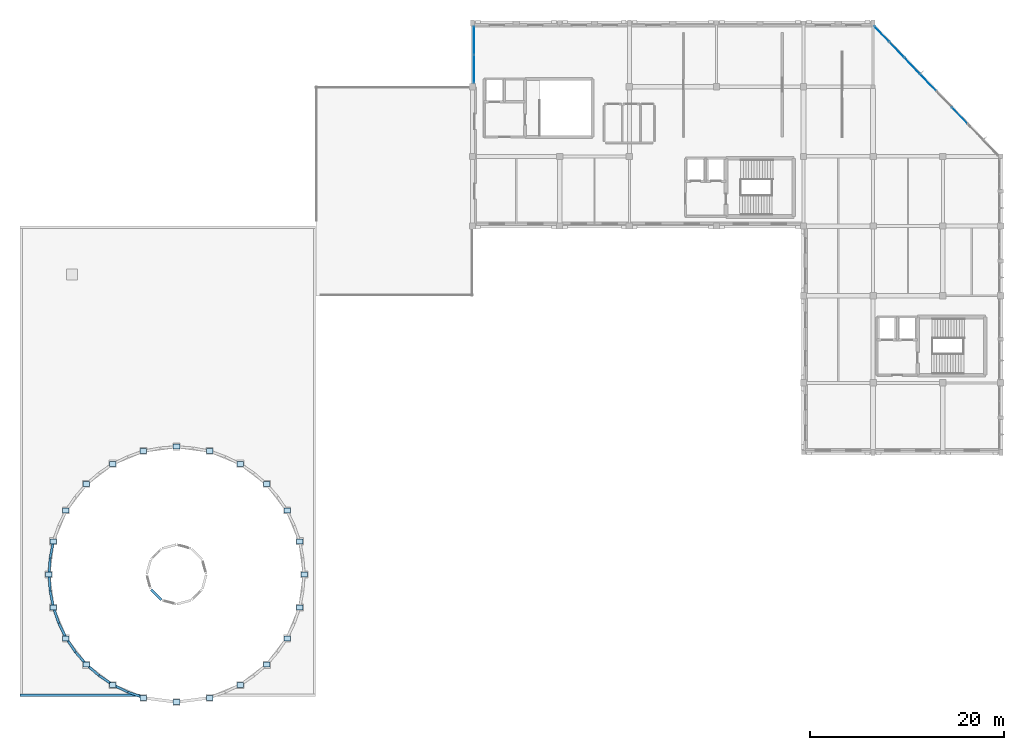
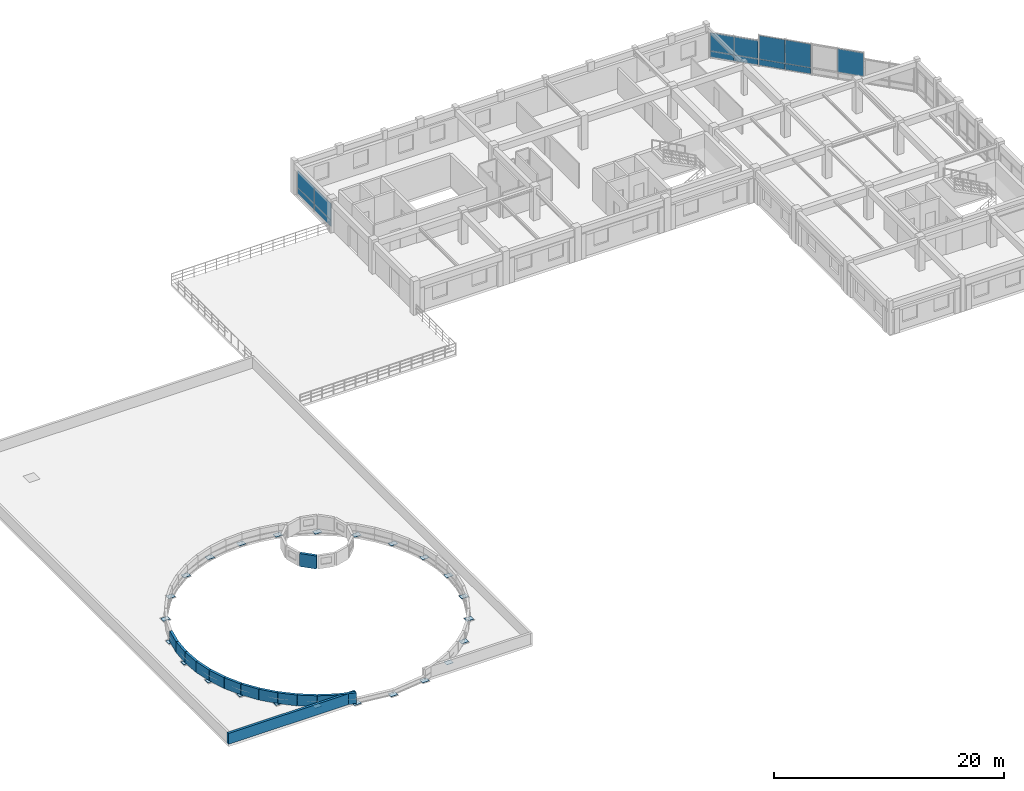
# One storey, part 11 of 18: 37 plates, 14 walls, 4 elements without a shape of their own.
"""IFC4 building model written with IfcOpenShell, lengths in metres."""

import ifcopenshell
import ifcopenshell.guid

model = None  # the IFC model being written
_history = None  # IfcOwnerHistory: only IFC2X3 demands one
_inside = {}  # id of a spatial element -> (the spatial element, [elements in it])
_under = {}  # id of a project, library or spatial element -> (it, [spatial elements below it])
_declared = {}  # id of a project -> (the project, [libraries it declares])
_typed = {}  # id of a type object -> (the type object, [elements of that type])
_made_of = {}  # id of a material, layer set ... -> (it, [elements and type objects made of it])


def new_model(schema):
    """Start an empty IFC model of exactly this schema.

    Asked for "IFC4X3", IfcOpenShell would pick the latest addendum, in which some entities
    have other attributes; the version numbers below select the first issue.
    IFC2X3 requires an IfcOwnerHistory on every rooted entity: one is made here for all.
    """
    global model, _history
    if schema == "IFC4X3":
        model = ifcopenshell.file(schema_version=(4, 3, 0, 0))
    else:
        model = ifcopenshell.file(schema=schema)
    _inside.clear()
    _under.clear()
    _declared.clear()
    _typed.clear()
    _made_of.clear()
    _history = None
    if model.schema == "IFC2X3":
        org = make("IfcOrganization", Name="unknown")
        user = make(
            "IfcPersonAndOrganization",
            ThePerson=make("IfcPerson", FamilyName="unknown"),
            TheOrganization=org,
        )
        app = make(
            "IfcApplication",
            ApplicationDeveloper=org,
            Version="unknown",
            ApplicationFullName="unknown",
            ApplicationIdentifier="unknown",
        )
        _history = make(
            "IfcOwnerHistory",
            OwningUser=user,
            OwningApplication=app,
            ChangeAction="ADDED",
            CreationDate=0,
        )
    return model


def make(cls, **values):
    """One entity of the class cls with the attributes given. An attribute that is None is left unset."""
    return model.create_entity(
        cls, **{name: value for name, value in values.items() if value is not None}
    )


def rooted(cls, **values):
    """An entity with a GlobalId (a new one), such as an element, a storey or a relation."""
    return make(cls, GlobalId=ifcopenshell.guid.new(), OwnerHistory=_history, **values)


def si_unit(unit_type, name, prefix=None):
    """IfcSIUnit, for example si_unit("LENGTHUNIT", "METRE", prefix="MILLI")."""
    return make("IfcSIUnit", UnitType=unit_type, Prefix=prefix, Name=name)


def assignment(units):
    """IfcUnitAssignment: the units of a project."""
    return None if units is None else make("IfcUnitAssignment", Units=units)


def point(xyz):
    """IfcCartesianPoint."""
    return None if xyz is None else make("IfcCartesianPoint", Coordinates=xyz)


def direction(xyz):
    """IfcDirection."""
    return None if xyz is None else make("IfcDirection", DirectionRatios=xyz)


def frame(location, z_axis=None, x_axis=None):
    """IfcAxis2Placement3D, a coordinate frame: its origin and axes. An axis left out is left unset."""
    return make(
        "IfcAxis2Placement3D",
        Location=point(location),
        Axis=direction(z_axis),
        RefDirection=direction(x_axis),
    )


def frame_2d(location, x_axis=None):
    """IfcAxis2Placement2D, a coordinate frame in the plane: its origin and x axis."""
    return make(
        "IfcAxis2Placement2D", Location=point(location), RefDirection=direction(x_axis)
    )


def origin():
    """The frame at (0, 0, 0) with its axes left unset."""
    return frame((0.0, 0.0, 0.0))


def origin_2d():
    """The frame at (0, 0) in the plane with its x axis left unset."""
    return frame_2d((0.0, 0.0))


def place(relative_to, where):
    """IfcLocalPlacement: puts the frame where relative to a parent placement (None: the world)."""
    return make(
        "IfcLocalPlacement", PlacementRelTo=relative_to, RelativePlacement=where
    )


def context(
    kind, dimensions, precision=None, world=None, true_north=None, identifier=None
):
    """IfcGeometricRepresentationContext, for example the 3D "Model" context."""
    return make(
        "IfcGeometricRepresentationContext",
        ContextIdentifier=identifier,
        ContextType=kind,
        CoordinateSpaceDimension=dimensions,
        Precision=precision,
        WorldCoordinateSystem=world,
        TrueNorth=true_north,
    )


def subcontext(parent, identifier, kind, view, scale=None):
    """IfcGeometricRepresentationSubContext, for example "Body" below "Model"."""
    return make(
        "IfcGeometricRepresentationSubContext",
        ContextIdentifier=identifier,
        ContextType=kind,
        ParentContext=parent,
        TargetScale=scale,
        TargetView=view,
    )


def project(units=None, contexts=None):
    """IfcProject with its units and contexts."""
    return rooted(
        "IfcProject",
        Name="project",
        RepresentationContexts=contexts,
        UnitsInContext=assignment(units),
    )


def spatial(cls, under=None, at=None, **own):
    """A site, building, storey or space (cls), placed at a placement, below another one or the project."""
    s = rooted(cls, ObjectPlacement=at, **own)
    if under is not None:
        _under.setdefault(under.id(), (under, []))[1].append(s)
    return s


def profile(cls, at=None, kind="AREA", **sizes):
    """A parametric profile (cls). Its sizes go by their IFC names, for example OverallWidth=200.0."""
    return make(cls, ProfileType=kind, Position=at, **sizes)


def rectangle(**sizes):
    """IfcRectangleProfileDef."""
    return profile("IfcRectangleProfileDef", **sizes)


def extrude(swept, where, along, depth):
    """IfcExtrudedAreaSolid: the profile swept, set in the frame where, extruded along a direction by depth."""
    return make(
        "IfcExtrudedAreaSolid",
        SweptArea=swept,
        Position=where,
        ExtrudedDirection=direction(along),
        Depth=depth,
    )


def shape(context_of_items, identifier, shape_type, items):
    """IfcShapeRepresentation: the items that make up one representation, for example the "Body"."""
    return make(
        "IfcShapeRepresentation",
        ContextOfItems=context_of_items,
        RepresentationIdentifier=identifier,
        RepresentationType=shape_type,
        Items=items,
    )


def material(Name=None, Category=None):
    """IfcMaterial."""
    return make("IfcMaterial", Name=Name, Category=Category)


def layer(
    of_material, thickness, ventilated=None, Name=None, Category=None, Priority=None
):
    """IfcMaterialLayer: one layer of a wall or slab, of a material (None: an air gap)."""
    return make(
        "IfcMaterialLayer",
        Material=of_material,
        LayerThickness=thickness,
        IsVentilated=ventilated,
        Name=Name,
        Category=Category,
        Priority=Priority,
    )


def layer_set(layers, Name=None):
    """IfcMaterialLayerSet."""
    return make("IfcMaterialLayerSet", MaterialLayers=layers, LayerSetName=Name)


def made_of(thing, what):
    """Note that an element or type object is made of a material, layer set ...; save() writes the relation."""
    if what is not None:
        _made_of.setdefault(what.id(), (what, []))[1].append(thing)
    return thing


def type_object(cls, material=None, **own):
    """A type object (cls), such as IfcWallType, which elements share."""
    return made_of(rooted(cls, **own), material)


def element(
    cls,
    number,
    at=None,
    inside=None,
    cuts=None,
    type_object=None,
    material=None,
    context=None,
    identifier="Body",
    shape_type=None,
    held_by="IfcProductDefinitionShape",
    body=None,
    shapes=None,
    **own,
):
    """One element of the class cls, such as IfcWall. Its Tag is "e" and its number.

    at: its placement. inside: the storey or other place that contains it. cuts: it is an
    opening in that element (IfcRelVoidsElement). A single representation is given by context,
    identifier, shape_type and body (its items); several are given by shapes. held_by: the class
    of the entity that holds the representations. save() writes the other relations.
    """
    e = rooted(cls, Tag="e%d" % number, ObjectPlacement=at, **own)
    if body is not None:
        shapes = [shape(context, identifier, shape_type, body)]
    if shapes is not None:
        e.Representation = make(held_by, Representations=shapes)
    if inside is not None:
        _inside.setdefault(inside.id(), (inside, []))[1].append(e)
    if cuts is not None:
        rooted(
            "IfcRelVoidsElement", RelatingBuildingElement=cuts, RelatedOpeningElement=e
        )
    if type_object is not None:
        _typed.setdefault(type_object.id(), (type_object, []))[1].append(e)
    return made_of(e, material)


def aggregate(whole, parts):
    """IfcRelAggregates: a whole, such as a stair, and the parts it consists of."""
    return rooted("IfcRelAggregates", RelatingObject=whole, RelatedObjects=parts)


def save(model, path):
    """Write the relations noted so far, then the file.

    IfcRelAggregates (storeys below a building ...), IfcRelContainedInSpatialStructure (elements
    in a storey), IfcRelDefinesByType, IfcRelAssociatesMaterial and IfcRelDeclares: one each for
    every whole, place, type object, material and project.
    """
    for whole, parts in _under.values():
        aggregate(whole, parts)
    for where, things in _inside.values():
        rooted(
            "IfcRelContainedInSpatialStructure",
            RelatedElements=things,
            RelatingStructure=where,
        )
    for kind, things in _typed.values():
        rooted("IfcRelDefinesByType", RelatedObjects=things, RelatingType=kind)
    for what, things in _made_of.values():
        rooted("IfcRelAssociatesMaterial", RelatedObjects=things, RelatingMaterial=what)
    for by, libraries in _declared.values():
        rooted("IfcRelDeclares", RelatingContext=by, RelatedDefinitions=libraries)
    model.write(path)


model = new_model("IFC4")

# Units and contexts
model_context = context("Model", 3, precision=1e-05, world=origin(), true_north=direction((0.0, 1.0)))
body_context = subcontext(model_context, "Body", "Model", "MODEL_VIEW")
ifc_project = project(units=[si_unit("LENGTHUNIT", "METRE"), si_unit("AREAUNIT", "SQUARE_METRE"), si_unit("VOLUMEUNIT", "CUBIC_METRE"), si_unit("PLANEANGLEUNIT", "RADIAN"), si_unit("MASSUNIT", "GRAM", prefix="KILO")], contexts=[model_context])

# Site, building, storey
site_placement = place(None, origin())
site = spatial("IfcSite", under=ifc_project, at=site_placement, CompositionType="ELEMENT")
building_placement = place(site_placement, origin())
building = spatial("IfcBuilding", under=site, at=building_placement, Name="Clarverna Civic Hall", CompositionType="ELEMENT")
storey_placement = place(building_placement, frame((0.0, 0.0, 20.39990234375)))
storey = spatial("IfcBuildingStorey", under=building, at=storey_placement, Name="L05", CompositionType="ELEMENT", Elevation=20.39990234375)

# Curtain wall, plates
ifc_material_1 = material(Name="Anodised Bronze Architectural Aluminium", Category="aluminium")
curtain_wall_type = type_object("IfcCurtainWallType", Name="CW-01", PredefinedType="USERDEFINED", material=ifc_material_1)
curtain_wall_1_placement = place(storey_placement, origin())
curtain_wall_1 = element("IfcCurtainWall", 1, at=curtain_wall_1_placement, inside=storey, type_object=curtain_wall_type, Name="CW-01-101", ObjectType="UNITISED CURTAIN WALL", PredefinedType="USERDEFINED")
ifc_material_2 = material(Name="Solar-Control Argon Low-E Double Glazing", Category="glass")
ifc_layer_1 = layer(ifc_material_2, 0.031982421875)
ifc_layer_set_1 = layer_set([ifc_layer_1], Name="Solar-Control Argon Low-E Double Glazing")
plate_type_1 = type_object("IfcPlateType", Name="CWP-01", PredefinedType="CURTAIN_PANEL", material=ifc_layer_set_1)
plate_1_placement = place(storey_placement, frame((154.964599609375, 115.62548828125, 0.76513671875), z_axis=(0.0, 0.0, 1.0), x_axis=(0.691132648489, -0.722727930962, 0.0)))
plate_1 = element("IfcPlate", 2, at=plate_1_placement, type_object=plate_type_1, Name="CWP-01-581", PredefinedType="CURTAIN_PANEL", context=body_context, shape_type="SweptSolid", body=[
    extrude(rectangle(XDim=2.15576171875, YDim=0.031982421875, at=frame_2d((1.077880859375, 0.0))), origin(), (0.0, 0.0, 1.0), 1.925048828125),
])
plate_2_placement = place(storey_placement, frame((156.4755859375, 114.0458984375, 0.76513671875), z_axis=(0.0, 0.0, 1.0), x_axis=(0.691132648489, -0.722727930962, 0.0)))
plate_2 = element("IfcPlate", 3, at=plate_2_placement, type_object=plate_type_1, Name="CWP-01-582", PredefinedType="CURTAIN_PANEL", context=body_context, shape_type="SweptSolid", body=[
    extrude(rectangle(XDim=2.15576171875, YDim=0.031982421875, at=frame_2d((1.077880859375, 0.0))), origin(), (0.0, 0.0, 1.0), 1.925048828125),
])

curtain_wall_2_placement = place(storey_placement, origin())
curtain_wall_2 = element("IfcCurtainWall", 4, at=curtain_wall_2_placement, inside=storey, type_object=curtain_wall_type, Name="CW-01-102", ObjectType="UNITISED CURTAIN WALL", PredefinedType="USERDEFINED")
plate_3_placement = place(storey_placement, frame((158.031982421875, 112.418701171875, 0.76513671875), z_axis=(0.0, 0.0, 1.0), x_axis=(0.691174945329, -0.722687480831, 0.0)))
plate_3 = element("IfcPlate", 5, at=plate_3_placement, type_object=plate_type_1, Name="CWP-01-583", PredefinedType="CURTAIN_PANEL", context=body_context, shape_type="SweptSolid", body=[
    extrude(rectangle(XDim=2.32421875, YDim=0.031982421875, at=frame_2d((1.162109375, 0.0))), origin(), (0.0, 0.0, 1.0), 2.48486328125),
])
plate_4_placement = place(storey_placement, frame((159.6591796875, 110.71728515625, 0.76513671875), z_axis=(0.0, 0.0, 1.0), x_axis=(0.691227416228, -0.72263729426, 0.0)))
plate_4 = element("IfcPlate", 6, at=plate_4_placement, type_object=plate_type_1, Name="CWP-01-584", PredefinedType="CURTAIN_PANEL", context=body_context, shape_type="SweptSolid", body=[
    extrude(rectangle(XDim=2.323974609375, YDim=0.031982421875, at=frame_2d((1.162109375, 0.0))), origin(), (0.0, 0.0, 1.0), 2.48486328125),
])

# Curtain wall, plate
curtain_wall_3_placement = place(storey_placement, origin())
curtain_wall_3 = element("IfcCurtainWall", 7, at=curtain_wall_3_placement, inside=storey, type_object=curtain_wall_type, Name="CW-01-103", ObjectType="UNITISED CURTAIN WALL", PredefinedType="USERDEFINED")
plate_5_placement = place(storey_placement, frame((162.959228515625, 107.267333984375, 0.76513671875), z_axis=(0.0, 0.0, 1.0), x_axis=(0.691227416228, -0.72263729426, 0.0)))
plate_5 = element("IfcPlate", 8, at=plate_5_placement, type_object=plate_type_1, Name="CWP-01-586", PredefinedType="CURTAIN_PANEL", context=body_context, shape_type="SweptSolid", body=[
    extrude(rectangle(XDim=2.323974609375, YDim=0.031982421875, at=frame_2d((1.162109375, 0.0))), origin(), (0.0, 0.0, 1.0), 2.48486328125),
])
aggregate(curtain_wall_3, [plate_5])

# Curtain wall, plates
curtain_wall_4_placement = place(storey_placement, origin())
curtain_wall_4 = element("IfcCurtainWall", 9, at=curtain_wall_4_placement, inside=storey, type_object=curtain_wall_type, Name="CW-01-113", ObjectType="UNITISED CURTAIN WALL", PredefinedType="USERDEFINED")
plate_6_placement = place(storey_placement, frame((113.5400390625, 109.81298828125, 0.76513671875), z_axis=(0.0, 0.0, 1.0), x_axis=(0.0, 1.0, 0.0)))
plate_6 = element("IfcPlate", 10, at=plate_6_placement, type_object=plate_type_1, Name="CWP-01-605", PredefinedType="CURTAIN_PANEL", context=body_context, shape_type="SweptSolid", body=[
    extrude(rectangle(XDim=2.884521484375, YDim=0.031982421875, at=frame_2d((1.4423828125, 0.0))), origin(), (0.0, 0.0, 1.0), 1.784912109375),
])
plate_7_placement = place(storey_placement, frame((113.5400390625, 112.7275390625, 0.76513671875), z_axis=(0.0, 0.0, 1.0), x_axis=(0.0, 1.0, 0.0)))
plate_7 = element("IfcPlate", 11, at=plate_7_placement, type_object=plate_type_1, Name="CWP-01-606", PredefinedType="CURTAIN_PANEL", context=body_context, shape_type="SweptSolid", body=[
    extrude(rectangle(XDim=2.884521484375, YDim=0.031982421875, at=frame_2d((1.4423828125, 0.0))), origin(), (0.0, 0.0, 1.0), 1.784912109375),
])

# Plate
ifc_material_3 = material(Name="Insulated Anodised Bronze Spandrel Panel", Category="aluminium")
ifc_layer_2 = layer(ifc_material_3, 0.048095703125)
ifc_layer_set_2 = layer_set([ifc_layer_2], Name="Insulated Anodised Bronze Spandrel Panel")
plate_type_2 = type_object("IfcPlateType", Name="CWP-03", PredefinedType="CURTAIN_PANEL", material=ifc_layer_set_2)
plate_8_placement = place(storey_placement, frame((154.964599609375, 115.62548828125, 0.110107421875), z_axis=(0.0, 0.0, 1.0), x_axis=(0.691132648489, -0.722727930962, 0.0)))
plate_8 = element("IfcPlate", 12, at=plate_8_placement, type_object=plate_type_2, Name="CWP-03-601", PredefinedType="CURTAIN_PANEL", context=body_context, shape_type="SweptSolid", body=[
    extrude(rectangle(XDim=2.15576171875, YDim=0.048095703125, at=frame_2d((1.077880859375, 0.0))), origin(), (0.0, 0.0, 1.0), 0.625),
])

plate_9_placement = place(storey_placement, frame((156.4755859375, 114.0458984375, 0.110107421875), z_axis=(0.0, 0.0, 1.0), x_axis=(0.691132648489, -0.722727930962, 0.0)))
plate_9 = element("IfcPlate", 13, at=plate_9_placement, type_object=plate_type_2, Name="CWP-03-602", PredefinedType="CURTAIN_PANEL", context=body_context, shape_type="SweptSolid", body=[
    extrude(rectangle(XDim=2.15576171875, YDim=0.048095703125, at=frame_2d((1.077880859375, 0.0))), origin(), (0.0, 0.0, 1.0), 0.625),
])

aggregate(curtain_wall_1, [plate_8, plate_1, plate_9, plate_2])

plate_10_placement = place(storey_placement, frame((158.031982421875, 112.418701171875, 0.110107421875), z_axis=(0.0, 0.0, 1.0), x_axis=(0.691174945329, -0.722687480831, 0.0)))
plate_10 = element("IfcPlate", 14, at=plate_10_placement, type_object=plate_type_2, Name="CWP-03-603", PredefinedType="CURTAIN_PANEL", context=body_context, shape_type="SweptSolid", body=[
    extrude(rectangle(XDim=2.32421875, YDim=0.048095703125, at=frame_2d((1.162109375, 0.0))), origin(), (0.0, 0.0, 1.0), 0.625),
])

plate_11_placement = place(storey_placement, frame((159.6591796875, 110.71728515625, 0.110107421875), z_axis=(0.0, 0.0, 1.0), x_axis=(0.691227416228, -0.72263729426, 0.0)))
plate_11 = element("IfcPlate", 15, at=plate_11_placement, type_object=plate_type_2, Name="CWP-03-604", PredefinedType="CURTAIN_PANEL", context=body_context, shape_type="SweptSolid", body=[
    extrude(rectangle(XDim=2.323974609375, YDim=0.048095703125, at=frame_2d((1.162109375, 0.0))), origin(), (0.0, 0.0, 1.0), 0.625),
])

aggregate(curtain_wall_2, [plate_10, plate_3, plate_11, plate_4])

plate_12_placement = place(storey_placement, frame((113.5400390625, 109.81298828125, 0.110107421875), z_axis=(0.0, 0.0, 1.0), x_axis=(0.0, 1.0, 0.0)))
plate_12 = element("IfcPlate", 16, at=plate_12_placement, type_object=plate_type_2, Name="CWP-03-625", PredefinedType="CURTAIN_PANEL", context=body_context, shape_type="SweptSolid", body=[
    extrude(rectangle(XDim=2.884521484375, YDim=0.048095703125, at=frame_2d((1.4423828125, 0.0))), origin(), (0.0, 0.0, 1.0), 0.625),
])

plate_13_placement = place(storey_placement, frame((113.5400390625, 112.7275390625, 0.110107421875), z_axis=(0.0, 0.0, 1.0), x_axis=(0.0, 1.0, 0.0)))
plate_13 = element("IfcPlate", 17, at=plate_13_placement, type_object=plate_type_2, Name="CWP-03-626", PredefinedType="CURTAIN_PANEL", context=body_context, shape_type="SweptSolid", body=[
    extrude(rectangle(XDim=2.884521484375, YDim=0.048095703125, at=frame_2d((1.4423828125, 0.0))), origin(), (0.0, 0.0, 1.0), 0.625),
])

aggregate(curtain_wall_4, [plate_12, plate_6, plate_13, plate_7])

# Plates
ifc_material_4 = material(Name="Steel S355", Category="steel")
ifc_layer_3 = layer(ifc_material_4, 0.02490234375)
ifc_layer_set_3 = layer_set([ifc_layer_3], Name="Steel S355")
plate_type_3 = type_object("IfcPlateType", Name="NP-01", PredefinedType="SHEET", material=ifc_layer_set_3)
for number, where, z_axis, x_axis, name in (
    (18, (96.0, 59.0, 0.01025390625), (0.0, 0.0, 1.0), (1.0, 0.0, 0.0), "NP-01-001"),
    (19, (95.55029296875, 62.41650390625, 0.01025390625), (0.0, 0.0, 1.0), (1.0, 0.0, 0.0), "NP-01-002"),
    (20, (94.2314453125, 65.60009765625, 0.01025390625), (0.0, 0.0, 1.0), (1.0, 0.0, 0.0), "NP-01-003"),
    (21, (92.1337890625, 68.333740234375, 0.01025390625), (0.0, 0.0, 1.0), (1.0, 0.0, 0.0), "NP-01-004"),
    (22, (89.39990234375, 70.431396484375, 0.01025390625), (0.0, 0.0, 1.0), (1.0, 0.0, 0.0), "NP-01-005"),
    (23, (86.21630859375, 71.750244140625, 0.01025390625), (0.0, 0.0, 1.0), (1.0, 0.0, 0.0), "NP-01-006"),
    (24, (82.800048828125, 72.199951171875, 0.01025390625), (0.0, 0.0, 1.0), (1.0, 0.0, 0.0), "NP-01-007"),
    (25, (79.383544921875, 71.750244140625, 0.01025390625), (0.0, 0.0, 1.0), (1.0, 0.0, 0.0), "NP-01-008"),
    (26, (76.199951171875, 70.431396484375, 0.01025390625), (0.0, 0.0, 1.0), (1.0, 0.0, 0.0), "NP-01-009"),
    (27, (73.46630859375, 68.333740234375, 0.01025390625), (0.0, 0.0, 1.0), (1.0, 0.0, 0.0), "NP-01-010"),
    (28, (71.368408203125, 65.60009765625, 0.01025390625), (0.0, 0.0, 1.0), (1.0, 0.0, 0.0), "NP-01-011"),
    (29, (70.0498046875, 62.41650390625, 0.01025390625), (0.0, 0.0, 1.0), (1.0, 0.0, 0.0), "NP-01-012"),
    (30, (69.60009765625, 59.0, 0.01025390625), (0.0, 0.0, 1.0), (1.0, 0.0, 0.0), "NP-01-013"),
    (31, (70.0498046875, 55.58349609375, 0.01025390625), (0.0, 0.0, 1.0), (1.0, 0.0, 0.0), "NP-01-014"),
    (32, (71.368408203125, 52.39990234375, 0.01025390625), (0.0, 0.0, 1.0), (1.0, 0.0, 0.0), "NP-01-015"),
    (33, (73.46630859375, 49.666259765625, 0.01025390625), (0.0, 0.0, 1.0), (1.0, 0.0, 0.0), "NP-01-016"),
    (34, (76.199951171875, 47.568603515625, 0.01025390625), (0.0, 0.0, 1.0), (1.0, 0.0, 0.0), "NP-01-017"),
    (35, (79.383544921875, 46.249755859375, 0.01025390625), (0.0, 0.0, 1.0), (1.0, 0.0, 0.0), "NP-01-018"),
    (36, (82.800048828125, 45.800048828125, 0.01025390625), (0.0, 0.0, 1.0), (1.0, 0.0, 0.0), "NP-01-019"),
    (37, (86.21630859375, 46.249755859375, 0.01025390625), (0.0, 0.0, 1.0), (1.0, 0.0, 0.0), "NP-01-020"),
    (38, (89.39990234375, 47.568603515625, 0.01025390625), (0.0, 0.0, 1.0), (1.0, 0.0, 0.0), "NP-01-021"),
    (39, (92.1337890625, 49.666259765625, 0.01025390625), (0.0, 0.0, 1.0), (1.0, 0.0, 0.0), "NP-01-022"),
    (40, (94.2314453125, 52.39990234375, 0.01025390625), (0.0, 0.0, 1.0), (1.0, 0.0, 0.0), "NP-01-023"),
    (41, (95.55029296875, 55.58349609375, 0.01025390625), (0.0, 0.0, 1.0), (1.0, 0.0, 0.0), "NP-01-024"),
):
    element("IfcPlate", number, at=place(storey_placement, frame(where, z_axis=z_axis, x_axis=x_axis)), inside=storey, type_object=plate_type_3, Name=name, PredefinedType="SHEET", context=body_context, shape_type="SweptSolid", body=[
        extrude(rectangle(XDim=0.679931640625, YDim=0.52001953125, at=origin_2d()), origin(), (0.0, 0.0, 1.0), 0.030029296875),
    ])

# Walls
ifc_material_5 = material(Name="Precast concrete C40/50", Category="concrete")
ifc_layer_4 = layer(ifc_material_5, 0.320068359375)
ifc_layer_set_4 = layer_set([ifc_layer_4], Name="Precast concrete C40/50")
wall_type_1 = type_object("IfcWallType", Name="EW-04", PredefinedType="SOLIDWALL", material=ifc_layer_set_4)
wall_1_placement = place(storey_placement, frame((80.16796875, 57.424560546875, 7.5400390625), z_axis=(0.0, 0.0, 1.0), x_axis=(0.707106781187, -0.707106781187, 0.0)))
element("IfcWall", 42, at=wall_1_placement, inside=storey, type_object=wall_type_1, Name="EW-04-026", PredefinedType="SOLIDWALL", context=body_context, shape_type="SweptSolid", body=[
    extrude(rectangle(XDim=1.494384765625, YDim=0.239990234375, at=frame_2d((0.7470703125, 0.0))), origin(), (0.0, 0.0, 1.0), 1.380126953125),
])
ifc_layer_5 = layer(ifc_material_5, 0.239990234375)
ifc_layer_set_5 = layer_set([ifc_layer_5], Name="Precast concrete C40/50")
wall_type_2 = type_object("IfcWallType", Name="PR-01", PredefinedType="PARAPET", material=ifc_layer_set_5)
wall_2_placement = place(storey_placement, frame((70.076904296875, 62.40087890625, 0.0), z_axis=(0.0, 0.0, 1.0), x_axis=(-0.195098288043, -0.980783695828, 0.0)))
element("IfcWall", 43, at=wall_2_placement, inside=storey, type_object=wall_type_2, Name="PR-01-078", PredefinedType="PARAPET", context=body_context, shape_type="SweptSolid", body=[
    extrude(rectangle(XDim=1.706787109375, YDim=0.239990234375, at=frame_2d((0.853515625, 0.0))), origin(), (0.0, 0.0, 1.0), 1.150146484375),
])
for number, where, z_axis, x_axis, name in (
    (44, (69.741943359375, 60.711181640625, 0.0), (0.0, 0.0, 1.0), (-0.065360870475, -0.997861692125, 0.0), "PR-01-079"),
    (45, (69.63037109375, 58.9921875, 0.0), (0.0, 0.0, 1.0), (0.065360870475, -0.997861692125, 0.0), "PR-01-080"),
):
    element("IfcWall", number, at=place(storey_placement, frame(where, z_axis=z_axis, x_axis=x_axis)), inside=storey, type_object=wall_type_2, Name=name, PredefinedType="PARAPET", context=body_context, shape_type="SweptSolid", body=[
        extrude(rectangle(XDim=1.70703125, YDim=0.239990234375, at=frame_2d((0.853515625, 0.0))), origin(), (0.0, 0.0, 1.0), 1.150146484375),
    ])
wall_3_placement = place(storey_placement, frame((69.743896484375, 57.273193359375, 0.0), z_axis=(0.0, 0.0, 1.0), x_axis=(0.195098288043, -0.980783695828, 0.0)))
element("IfcWall", 46, at=wall_3_placement, inside=storey, type_object=wall_type_2, Name="PR-01-081", PredefinedType="PARAPET", context=body_context, shape_type="SweptSolid", body=[
    extrude(rectangle(XDim=1.706787109375, YDim=0.239990234375, at=frame_2d((0.853515625, 0.0))), origin(), (0.0, 0.0, 1.0), 1.150146484375),
])
for number, where, z_axis, x_axis, name in (
    (47, (70.0810546875, 55.583740234375, 0.0), (0.0, 0.0, 1.0), (0.321371924476, -0.94695305383, 0.0), "PR-01-082"),
    (48, (70.6357421875, 53.952880859375, 0.0), (0.0, 0.0, 1.0), (0.442229444634, -0.896901955789, 0.0), "PR-01-083"),
):
    element("IfcWall", number, at=place(storey_placement, frame(where, z_axis=z_axis, x_axis=x_axis)), inside=storey, type_object=wall_type_2, Name=name, PredefinedType="PARAPET", context=body_context, shape_type="SweptSolid", body=[
        extrude(rectangle(XDim=1.70703125, YDim=0.239990234375, at=frame_2d((0.853515625, 0.0))), origin(), (0.0, 0.0, 1.0), 1.150146484375),
    ])
wall_4_placement = place(storey_placement, frame((71.398681640625, 52.408203125, 0.0), z_axis=(0.0, 0.0, 1.0), x_axis=(0.555558126887, -0.831477701234, 0.0)))
element("IfcWall", 49, at=wall_4_placement, inside=storey, type_object=wall_type_2, Name="PR-01-084", PredefinedType="PARAPET", context=body_context, shape_type="SweptSolid", body=[
    extrude(rectangle(XDim=1.706787109375, YDim=0.239990234375, at=frame_2d((0.853515625, 0.0))), origin(), (0.0, 0.0, 1.0), 1.150146484375),
])
for number, where, z_axis, x_axis, name in (
    (50, (72.3564453125, 50.9765625, 0.0), (0.0, 0.0, 1.0), (0.65932436962, -0.751858614119, 0.0), "PR-01-085"),
    (51, (73.4931640625, 49.681884765625, 0.0), (0.0, 0.0, 1.0), (0.751858614119, -0.65932436962, 0.0), "PR-01-086"),
    (52, (74.7890625, 48.547119140625, 0.0), (0.0, 0.0, 1.0), (0.831411626636, -0.5556570049, 0.0), "PR-01-087"),
    (53, (76.221923828125, 47.5908203125, 0.0), (0.0, 0.0, 1.0), (0.896845223565, -0.442344486762, 0.0), "PR-01-088"),
):
    element("IfcWall", number, at=place(storey_placement, frame(where, z_axis=z_axis, x_axis=x_axis)), inside=storey, type_object=wall_type_2, Name=name, PredefinedType="PARAPET", context=body_context, shape_type="SweptSolid", body=[
        extrude(rectangle(XDim=1.70703125, YDim=0.239990234375, at=frame_2d((0.853515625, 0.0))), origin(), (0.0, 0.0, 1.0), 1.150146484375),
    ])
wall_5_placement = place(storey_placement, frame((77.767333984375, 46.82958984375, 0.0), z_axis=(0.0, 0.0, 1.0), x_axis=(0.946965360114, -0.321335660554, 0.0)))
element("IfcWall", 54, at=wall_5_placement, inside=storey, type_object=wall_type_2, Name="PR-01-089", PredefinedType="PARAPET", context=body_context, shape_type="SweptSolid", body=[
    extrude(rectangle(XDim=1.6904296875, YDim=0.239990234375, at=frame_2d((0.84521484375, 0.0))), origin(), (0.0, 0.0, 1.0), 1.150146484375),
])
wall_6_placement = place(storey_placement, frame((79.40673828125, 46.52001953125, 0.0), z_axis=(0.0, 0.0, 1.0), x_axis=(-1.0, 0.0, 0.0)))
element("IfcWall", 55, at=wall_6_placement, inside=storey, type_object=wall_type_2, Name="PR-01-090", PredefinedType="PARAPET", context=body_context, shape_type="SweptSolid", body=[
    extrude(rectangle(XDim=12.78173828125, YDim=0.239990234375, at=frame_2d((6.390869140625, 0.0))), origin(), (0.0, 0.0, 1.0), 1.150146484375),
])

save(model, "model.ifc")
